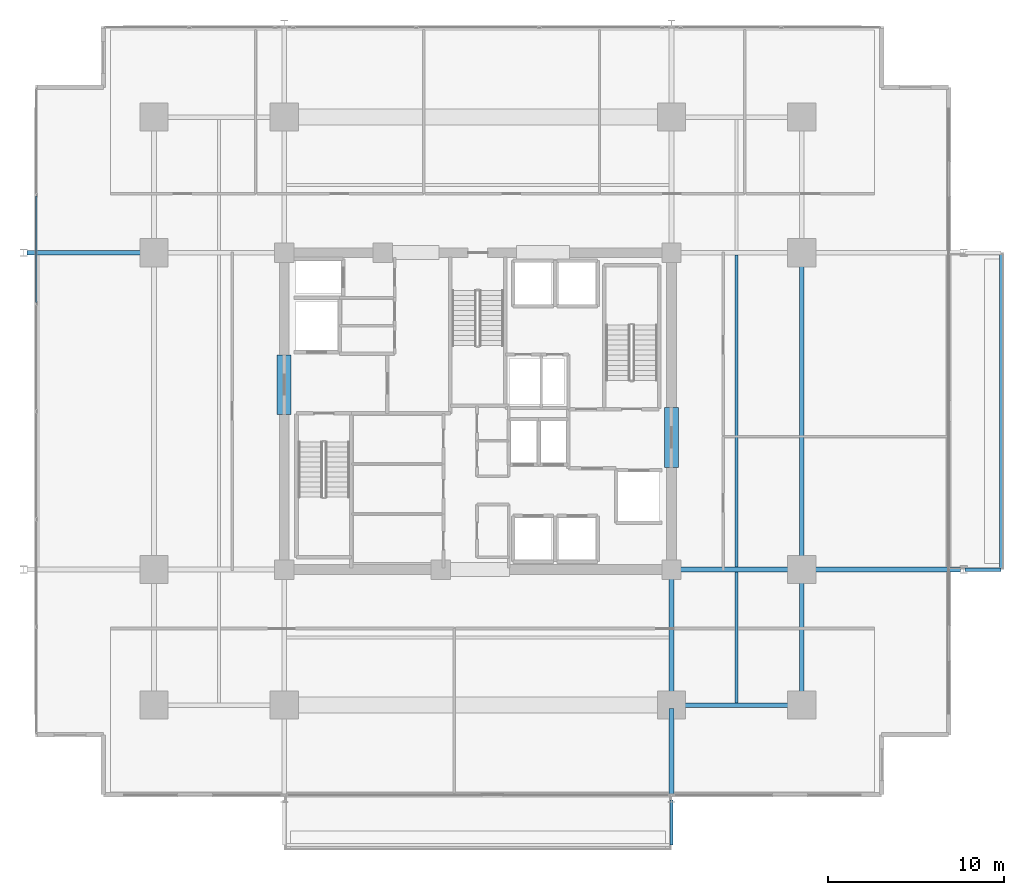
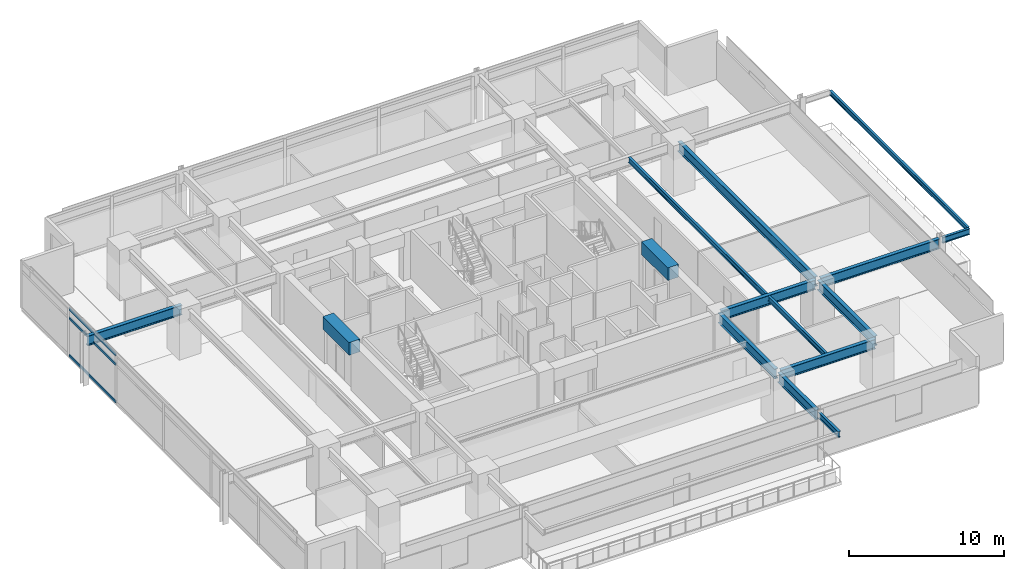
# One storey, part 5 of 21: 15 beams, 3 members, 1 element without a shape of its own.
"""IFC4 building model written with IfcOpenShell, lengths in metres."""

from ifc_helpers import new_model, si_unit, direction, frame, origin, origin_2d, place, context, subcontext, project, spatial, rectangle, hollow_rectangle, i_section, extrude, material, material_profile, profile_set, type_object, element, aggregate, save


model = new_model("IFC4")

# Units and contexts
model_context = context("Model", 3, precision=1e-05, world=origin(), true_north=direction((0.0, 1.0)))
body_context = subcontext(model_context, "Body", "Model", "MODEL_VIEW")
ifc_project = project(units=[si_unit("LENGTHUNIT", "METRE"), si_unit("AREAUNIT", "SQUARE_METRE"), si_unit("VOLUMEUNIT", "CUBIC_METRE"), si_unit("PLANEANGLEUNIT", "RADIAN"), si_unit("MASSUNIT", "GRAM", prefix="KILO")], contexts=[model_context])

# Site, building, storey
site_placement = place(None, origin())
site = spatial("IfcSite", under=ifc_project, at=site_placement, CompositionType="ELEMENT")
building_placement = place(site_placement, origin())
building = spatial("IfcBuilding", under=site, at=building_placement, Name="Kovane Verandah Tower", CompositionType="ELEMENT")
storey_placement = place(building_placement, frame((0.0, 0.0, 172.39990234375)))
storey = spatial("IfcBuildingStorey", under=building, at=storey_placement, Name="L40", CompositionType="ELEMENT", Elevation=172.39990234375)

# Beams
ifc_material_1 = material(Name="Concrete C60/75", Category="concrete")
ifc_material_profile_1 = material_profile(ifc_material_1, rectangle(XDim=0.800048828125, YDim=1.0, at=origin_2d()), Name="RCB800x1000")
ifc_profile_set_1 = profile_set([ifc_material_profile_1], Name="Concrete C60/75")
beam_type_1 = type_object("IfcBeamType", Name="BM-LINTEL-800x1000", PredefinedType="LINTEL", material=ifc_profile_set_1)
for number, where, z_axis, x_axis, name in (
    (1, (29.0, 27.300048828125, 3.275146484375), (0.0, 1.0, 0.0), (-1.0, 0.0, 0.0), "L40 Core Coupling Lintel CL-W"),
    (2, (51.0, 24.300048828125, 3.275146484375), (0.0, 1.0, 0.0), (-1.0, 0.0, 0.0), "L40 Core Coupling Lintel CL-E"),
):
    element("IfcBeam", number, at=place(storey_placement, frame(where, z_axis=z_axis, x_axis=x_axis)), inside=storey, type_object=beam_type_1, Name=name, PredefinedType="LINTEL", context=body_context, shape_type="SweptSolid", body=[
        extrude(rectangle(XDim=0.800048828125, YDim=1.0, at=origin_2d()), origin(), (0.0, 0.0, 1.0), 3.39990234375),
    ])
ifc_material_2 = material(Name="Steel S355", Category="steel")
ifc_material_profile_2 = material_profile(ifc_material_2, i_section(OverallWidth=0.26806640625, OverallDepth=0.769775390625, WebThickness=0.015625, FlangeThickness=0.025390625, FilletRadius=0.0166015625, at=origin_2d()), Name="UB762x267x197")
ifc_profile_set_2 = profile_set([ifc_material_profile_2], Name="Steel S355")
beam_type_2 = type_object("IfcBeamType", Name="BM-UB762x197", PredefinedType="BEAM", material=ifc_profile_set_2)
beam_1_placement = place(storey_placement, frame((51.179931640625, 10.800048828125, 3.39013671875), z_axis=(1.0, 0.0, 0.0), x_axis=(0.0, 1.0, 0.0)))
element("IfcBeam", 3, at=beam_1_placement, inside=storey, type_object=beam_type_2, Name="L40 Primary Tower Girder G-RS3", PredefinedType="BEAM", context=body_context, shape_type="SweptSolid", body=[
    extrude(i_section(OverallWidth=0.26806640625, OverallDepth=0.769775390625, WebThickness=0.015625, FlangeThickness=0.025390625, FilletRadius=0.0166015625, at=origin_2d()), origin(), (0.0, 0.0, 1.0), 7.0400390625),
])
beam_2_placement = place(storey_placement, frame((58.39990234375, 10.97998046875, 3.39013671875), z_axis=(0.0, 1.0, 0.0), x_axis=(-1.0, 0.0, 0.0)))
element("IfcBeam", 4, at=beam_2_placement, inside=storey, type_object=beam_type_2, Name="L40 Primary Tower Girder G-RE1", PredefinedType="BEAM", context=body_context, shape_type="SweptSolid", body=[
    extrude(i_section(OverallWidth=0.26806640625, OverallDepth=0.769775390625, WebThickness=0.015625, FlangeThickness=0.025390625, FilletRadius=0.0166015625, at=origin_2d()), origin(), (0.0, 0.0, 1.0), 7.340087890625),
])
beam_3_placement = place(storey_placement, frame((58.39990234375, 18.679931640625, 3.39013671875), z_axis=(0.0, 1.0, 0.0), x_axis=(-1.0, 0.0, 0.0)))
element("IfcBeam", 5, at=beam_3_placement, inside=storey, type_object=beam_type_2, Name="L40 Primary Tower Girder G-RE2", PredefinedType="BEAM", context=body_context, shape_type="SweptSolid", body=[
    extrude(i_section(OverallWidth=0.26806640625, OverallDepth=0.769775390625, WebThickness=0.015625, FlangeThickness=0.025390625, FilletRadius=0.0166015625, at=origin_2d()), origin(), (0.0, 0.0, 1.0), 17.64013671875),
])
beam_4_placement = place(storey_placement, frame((51.179931640625, 18.5, 3.39013671875), z_axis=(1.0, 0.0, 0.0), x_axis=(0.0, 1.0, 0.0)))
element("IfcBeam", 6, at=beam_4_placement, inside=storey, type_object=beam_type_2, Name="L40 Primary Tower Girder G-E1", PredefinedType="BEAM", context=body_context, shape_type="SweptSolid", body=[
    extrude(i_section(OverallWidth=0.26806640625, OverallDepth=0.769775390625, WebThickness=0.015625, FlangeThickness=0.025390625, FilletRadius=0.0166015625, at=origin_2d()), origin(), (0.0, 0.0, 1.0), 7.0400390625),
])
beam_5_placement = place(storey_placement, frame((51.0, 18.320068359375, 3.39013671875), z_axis=(0.0, -1.0, 0.0), x_axis=(1.0, 0.0, 0.0)))
element("IfcBeam", 7, at=beam_5_placement, inside=storey, type_object=beam_type_2, Name="L40 Primary Tower Girder G-S2", PredefinedType="BEAM", context=body_context, shape_type="SweptSolid", body=[
    extrude(i_section(OverallWidth=0.26806640625, OverallDepth=0.769775390625, WebThickness=0.015625, FlangeThickness=0.025390625, FilletRadius=0.0166015625, at=origin_2d()), origin(), (0.0, 0.0, 1.0), 7.340087890625),
])
beam_6_placement = place(storey_placement, frame((21.419921875, 36.5, 3.375244140625), z_axis=(-1.0, 0.0, 0.0), x_axis=(0.0, -1.0, 0.0)))
element("IfcBeam", 8, at=beam_6_placement, inside=storey, type_object=beam_type_2, Name="L40 Primary Tower Girder G-VW2", PredefinedType="BEAM", context=body_context, shape_type="SweptSolid", body=[
    extrude(i_section(OverallWidth=0.26806640625, OverallDepth=0.769775390625, WebThickness=0.015625, FlangeThickness=0.025390625, FilletRadius=0.0166015625, at=origin_2d()), origin(), (0.0, 0.0, 1.0), 7.0400390625),
])
beam_7_placement = place(storey_placement, frame((58.580078125, 18.5, 3.375244140625), z_axis=(1.0, 0.0, 0.0), x_axis=(0.0, 1.0, 0.0)))
element("IfcBeam", 9, at=beam_7_placement, inside=storey, type_object=beam_type_2, Name="L40 Primary Tower Girder G-VE1", PredefinedType="BEAM", context=body_context, shape_type="SweptSolid", body=[
    extrude(i_section(OverallWidth=0.26806640625, OverallDepth=0.769775390625, WebThickness=0.015625, FlangeThickness=0.025390625, FilletRadius=0.0166015625, at=origin_2d()), origin(), (0.0, 0.0, 1.0), 8.83984375),
])
beam_8_placement = place(storey_placement, frame((51.0, 10.6201171875, 3.375244140625), z_axis=(0.0, -1.0, 0.0), x_axis=(1.0, 0.0, 0.0)))
element("IfcBeam", 10, at=beam_8_placement, inside=storey, type_object=beam_type_2, Name="L40 Primary Tower Girder G-VS2", PredefinedType="BEAM", context=body_context, shape_type="SweptSolid", body=[
    extrude(i_section(OverallWidth=0.26806640625, OverallDepth=0.769775390625, WebThickness=0.015625, FlangeThickness=0.025390625, FilletRadius=0.0166015625, at=origin_2d()), origin(), (0.0, 0.0, 1.0), 4.940185546875),
])

# Curtain wall, members
ifc_material_3 = material(Name="Champagne Anodised Aluminium Frame with Low-E Clear Laminated Glass", Category="aluminium")
curtain_wall_type = type_object("IfcCurtainWallType", Name="CW-SYS-03-MID", PredefinedType="NOTDEFINED", material=ifc_material_3)
curtain_wall_placement = place(storey_placement, origin())
curtain_wall = element("IfcCurtainWall", 11, at=curtain_wall_placement, inside=storey, type_object=curtain_wall_type, Name="L40 W Unitised Curtain Wall", PredefinedType="NOTDEFINED")
ifc_material_4 = material(Name="Champagne Anodised Aluminium 6063-T6", Category="aluminium")
ifc_material_profile_3 = material_profile(ifc_material_4, hollow_rectangle(XDim=0.0849609375, YDim=0.18994140625, WallThickness=0.00390625, at=origin_2d()), Name="AL85x190x4")
ifc_profile_set_3 = profile_set([ifc_material_profile_3], Name="Champagne Anodised Aluminium 6063-T6")
member_type = type_object("IfcMemberType", Name="CW-TRN-85x190", PredefinedType="USERDEFINED", material=ifc_profile_set_3)
member_1_placement = place(storey_placement, frame((14.9296875, 39.70947265625, 0.050048828125), z_axis=(0.0, -1.0, 0.0), x_axis=(1.0, 0.0, 0.0)))
member_1 = element("IfcMember", 12, at=member_1_placement, type_object=member_type, Name="L40 W Unitised Curtain Wall Transom TB Bay 2", ObjectType="TRANSOM", PredefinedType="USERDEFINED", context=body_context, shape_type="SweptSolid", body=[
    extrude(hollow_rectangle(XDim=0.0849609375, YDim=0.18994140625, WallThickness=0.00390625, at=origin_2d()), origin(), (0.0, 0.0, 1.0), 6.02978515625),
])
member_2_placement = place(storey_placement, frame((14.9296875, 39.70947265625, 2.9951171875), z_axis=(0.0, -1.0, 0.0), x_axis=(1.0, 0.0, 0.0)))
member_2 = element("IfcMember", 13, at=member_2_placement, type_object=member_type, Name="L40 W Unitised Curtain Wall Transom TM Bay 2", ObjectType="TRANSOM", PredefinedType="USERDEFINED", context=body_context, shape_type="SweptSolid", body=[
    extrude(hollow_rectangle(XDim=0.0849609375, YDim=0.18994140625, WallThickness=0.00390625, at=origin_2d()), origin(), (0.0, 0.0, 1.0), 6.02978515625),
])
member_3_placement = place(storey_placement, frame((14.9296875, 39.70947265625, 3.72509765625), z_axis=(0.0, -1.0, 0.0), x_axis=(1.0, 0.0, 0.0)))
member_3 = element("IfcMember", 14, at=member_3_placement, type_object=member_type, Name="L40 W Unitised Curtain Wall Transom TT Bay 2", ObjectType="TRANSOM", PredefinedType="USERDEFINED", context=body_context, shape_type="SweptSolid", body=[
    extrude(hollow_rectangle(XDim=0.0849609375, YDim=0.18994140625, WallThickness=0.00390625, at=origin_2d()), origin(), (0.0, 0.0, 1.0), 6.02978515625),
])
aggregate(curtain_wall, [member_1, member_2, member_3])

# Beams
ifc_material_profile_4 = material_profile(ifc_material_2, i_section(OverallWidth=0.179443359375, OverallDepth=0.412841796875, WebThickness=0.009521484375, FlangeThickness=0.01611328125, FilletRadius=0.01025390625, at=origin_2d()), Name="UB406x178x74")
ifc_profile_set_4 = profile_set([ifc_material_profile_4], Name="Steel S355")
beam_type_3 = type_object("IfcBeamType", Name="JST-UB406x74", PredefinedType="JOIST", material=ifc_profile_set_4)
beam_9_placement = place(storey_placement, frame((54.699951171875, 18.632080078125, 3.568603515625), z_axis=(0.0, 1.0, 0.0), x_axis=(-1.0, 0.0, 0.0)))
element("IfcBeam", 15, at=beam_9_placement, inside=storey, type_object=beam_type_3, Name="L40 Secondary Composite Joist J-E1", PredefinedType="JOIST", context=body_context, shape_type="SweptSolid", body=[
    extrude(i_section(OverallWidth=0.179443359375, OverallDepth=0.412841796875, WebThickness=0.009521484375, FlangeThickness=0.01611328125, FilletRadius=0.01025390625, at=origin_2d()), origin(), (0.0, 0.0, 1.0), 17.73583984375),
])
beam_10_placement = place(storey_placement, frame((54.699951171875, 10.931884765625, 3.568603515625), z_axis=(0.0, 1.0, 0.0), x_axis=(-1.0, 0.0, 0.0)))
element("IfcBeam", 16, at=beam_10_placement, inside=storey, type_object=beam_type_3, Name="L40 Secondary Composite Joist J-SE1", PredefinedType="JOIST", context=body_context, shape_type="SweptSolid", body=[
    extrude(i_section(OverallWidth=0.179443359375, OverallDepth=0.412841796875, WebThickness=0.009521484375, FlangeThickness=0.01611328125, FilletRadius=0.01025390625, at=origin_2d()), origin(), (0.0, 0.0, 1.0), 7.43603515625),
])
ifc_material_profile_5 = material_profile(ifc_material_2, i_section(OverallWidth=0.19287109375, OverallDepth=0.46728515625, WebThickness=0.011474609375, FlangeThickness=0.01953125, FilletRadius=0.01025390625, at=origin_2d()), Name="UB457x191x98")
ifc_profile_set_5 = profile_set([ifc_material_profile_5], Name="Steel S355")
beam_type_4 = type_object("IfcBeamType", Name="JST-UB457x98", PredefinedType="JOIST", material=ifc_profile_set_5)
beam_11_placement = place(storey_placement, frame((51.0, 5.419921875, 3.526611328125), z_axis=(0.0, -1.0, 0.0), x_axis=(1.0, 0.0, 0.0)))
element("IfcBeam", 17, at=beam_11_placement, inside=storey, type_object=beam_type_4, Name="L40 South Planter Girder 2", PredefinedType="JOIST", context=body_context, shape_type="SweptSolid", body=[
    extrude(i_section(OverallWidth=0.19287109375, OverallDepth=0.46728515625, WebThickness=0.011474609375, FlangeThickness=0.01953125, FilletRadius=0.01025390625, at=origin_2d()), origin(), (0.0, 0.0, 1.0), 2.56494140625),
])
beam_12_placement = place(storey_placement, frame((67.679931640625, 18.5, 3.526611328125), z_axis=(1.0, 0.0, 0.0), x_axis=(0.0, 1.0, 0.0)))
element("IfcBeam", 18, at=beam_12_placement, inside=storey, type_object=beam_type_4, Name="L40 East Planter Girder 1", PredefinedType="JOIST", context=body_context, shape_type="SweptSolid", body=[
    extrude(i_section(OverallWidth=0.19287109375, OverallDepth=0.46728515625, WebThickness=0.011474609375, FlangeThickness=0.01953125, FilletRadius=0.01025390625, at=origin_2d()), origin(), (0.0, 0.0, 1.0), 2.02587890625),
])
ifc_material_profile_6 = material_profile(ifc_material_2, i_section(OverallWidth=0.173095703125, OverallDepth=0.36328125, WebThickness=0.009033203125, FlangeThickness=0.015625, FilletRadius=0.01025390625, at=origin_2d()), Name="UB356x171x67")
ifc_profile_set_6 = profile_set([ifc_material_profile_6], Name="Steel S355")
beam_type_5 = type_object("IfcBeamType", Name="SPD-UB356x67", PredefinedType="USERDEFINED", material=ifc_profile_set_6)
beam_13_placement = place(storey_placement, frame((69.705810546875, 18.594482421875, 3.578369140625), z_axis=(0.0, 1.0, 0.0), x_axis=(-1.0, 0.0, 0.0)))
element("IfcBeam", 19, at=beam_13_placement, inside=storey, type_object=beam_type_5, Name="L40 East Planter Edge Spandrel", ObjectType="SPANDREL", PredefinedType="USERDEFINED", context=body_context, shape_type="SweptSolid", body=[
    extrude(i_section(OverallWidth=0.173095703125, OverallDepth=0.36328125, WebThickness=0.009033203125, FlangeThickness=0.015625, FilletRadius=0.01025390625, at=origin_2d()), origin(), (0.0, 0.0, 1.0), 17.81103515625),
])

save(model, "model.ifc")
